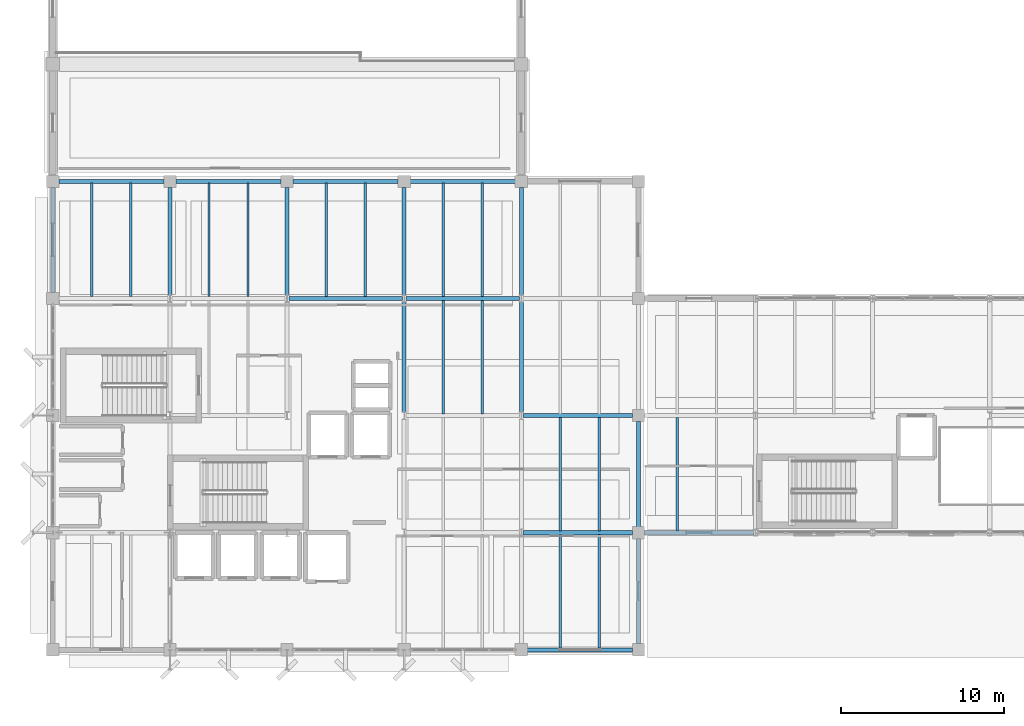
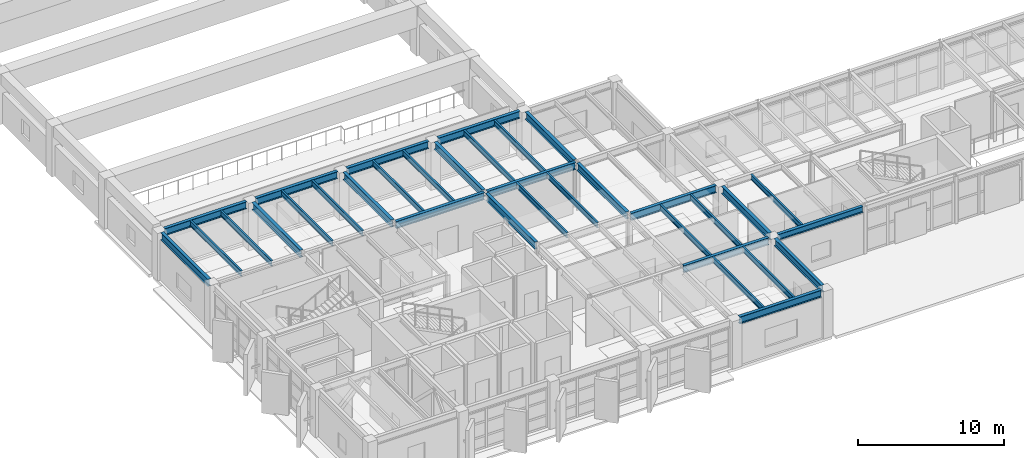
# One storey, part 11 of 37: 34 beams.
"""IFC4 building model written with IfcOpenShell, lengths in metres."""

from ifc_helpers import new_model, si_unit, direction, frame, origin, origin_2d, place, context, subcontext, project, spatial, i_section, extrude, material, material_profile, profile_set, type_object, element, save


model = new_model("IFC4")

# Units and contexts
model_context = context("Model", 3, precision=1e-05, world=origin(), true_north=direction((0.0, 1.0)))
body_context = subcontext(model_context, "Body", "Model", "MODEL_VIEW")
ifc_project = project(units=[si_unit("LENGTHUNIT", "METRE"), si_unit("AREAUNIT", "SQUARE_METRE"), si_unit("VOLUMEUNIT", "CUBIC_METRE"), si_unit("PLANEANGLEUNIT", "RADIAN"), si_unit("MASSUNIT", "GRAM", prefix="KILO")], contexts=[model_context])

# Site, building, storey
site_placement = place(None, origin())
site = spatial("IfcSite", under=ifc_project, at=site_placement, CompositionType="ELEMENT")
building_placement = place(site_placement, origin())
building = spatial("IfcBuilding", under=site, at=building_placement, Name="Kandorven Conservatory and Botanical Research Centre", CompositionType="ELEMENT")
storey_placement = place(building_placement, frame((0.0, 0.0, 9.0)))
storey = spatial("IfcBuildingStorey", under=building, at=storey_placement, Name="L02", CompositionType="ELEMENT", Elevation=9.0)

# Beams
ifc_material_1 = material(Name="Steel S355 (IS 2062 E350)", Category="steel")
ifc_material_profile_1 = material_profile(ifc_material_1, i_section(OverallWidth=0.25, OverallDepth=0.60009765625, WebThickness=0.01171875, FlangeThickness=0.023681640625, at=origin_2d()))
ifc_profile_set_1 = profile_set([ifc_material_profile_1], Name="Steel S355 (IS 2062 E350)")
beam_type_1 = type_object("IfcBeamType", Name="Beam_FG-01", PredefinedType="USERDEFINED", material=ifc_profile_set_1)
beam_1_placement = place(storey_placement, frame((35.1650390625, 6.0, 3.659912109375), z_axis=(1.0, 0.0, 0.0), x_axis=(0.0, 1.0, 0.0)))
element("IfcBeam", 1, at=beam_1_placement, inside=storey, type_object=beam_type_1, Name="Primary girder FG-01 TWR L02", ObjectType="GIRDER", PredefinedType="USERDEFINED", context=body_context, shape_type="SweptSolid", body=[
    extrude(i_section(OverallWidth=0.25, OverallDepth=0.60009765625, WebThickness=0.01171875, FlangeThickness=0.023681640625, at=origin_2d()), origin(), (0.0, 0.0, 1.0), 6.469970703125),
])
for number, where, z_axis, x_axis, name in (
    (2, (34.9150390625, 13.199951171875, 3.659912109375), (1.0, 0.0, 0.0), (0.0, 1.0, 0.0), "Primary girder FG-01 TWR L02"),
    (3, (34.9150390625, 20.39990234375, 3.659912109375), (1.0, 0.0, 0.0), (0.0, 1.0, 0.0), "Primary girder FG-01 TWR L02"),
):
    element("IfcBeam", number, at=place(storey_placement, frame(where, z_axis=z_axis, x_axis=x_axis)), inside=storey, type_object=beam_type_1, Name=name, ObjectType="GIRDER", PredefinedType="USERDEFINED", context=body_context, shape_type="SweptSolid", body=[
        extrude(i_section(OverallWidth=0.25, OverallDepth=0.60009765625, WebThickness=0.01171875, FlangeThickness=0.023681640625, at=origin_2d()), origin(), (0.0, 0.0, 1.0), 6.719970703125),
    ])
beam_2_placement = place(storey_placement, frame((20.514892578125, 27.60009765625, 3.659912109375), z_axis=(1.0, 0.0, 0.0), x_axis=(0.0, 1.0, 0.0)))
element("IfcBeam", 4, at=beam_2_placement, inside=storey, type_object=beam_type_1, Name="Primary girder FG-01 TWR L02", ObjectType="GIRDER", PredefinedType="USERDEFINED", context=body_context, shape_type="SweptSolid", body=[
    extrude(i_section(OverallWidth=0.25, OverallDepth=0.60009765625, WebThickness=0.01171875, FlangeThickness=0.023681640625, at=origin_2d()), origin(), (0.0, 0.0, 1.0), 6.97021484375),
])
beam_3_placement = place(storey_placement, frame((27.715087890625, 27.60009765625, 3.659912109375), z_axis=(1.0, 0.0, 0.0), x_axis=(0.0, 1.0, 0.0)))
element("IfcBeam", 5, at=beam_3_placement, inside=storey, type_object=beam_type_1, Name="Primary girder FG-01 TWR L02", ObjectType="GIRDER", PredefinedType="USERDEFINED", context=body_context, shape_type="SweptSolid", body=[
    extrude(i_section(OverallWidth=0.25, OverallDepth=0.60009765625, WebThickness=0.01171875, FlangeThickness=0.023681640625, at=origin_2d()), origin(), (0.0, 0.0, 1.0), 6.969970703125),
])
for number, where, z_axis, x_axis, name in (
    (6, (6.364990234375, 34.800048828125, 3.659912109375), (1.0, 0.0, 0.0), (0.0, 1.0, 0.0), "Primary girder FG-01 TWR L02"),
    (7, (13.56494140625, 34.800048828125, 3.659912109375), (1.0, 0.0, 0.0), (0.0, 1.0, 0.0), "Primary girder FG-01 TWR L02"),
):
    element("IfcBeam", number, at=place(storey_placement, frame(where, z_axis=z_axis, x_axis=x_axis)), inside=storey, type_object=beam_type_1, Name=name, ObjectType="GIRDER", PredefinedType="USERDEFINED", context=body_context, shape_type="SweptSolid", body=[
        extrude(i_section(OverallWidth=0.25, OverallDepth=0.60009765625, WebThickness=0.01171875, FlangeThickness=0.023681640625, at=origin_2d()), origin(), (0.0, 0.0, 1.0), 6.469970703125),
    ])
beam_4_placement = place(storey_placement, frame((20.764892578125, 34.800048828125, 3.659912109375), z_axis=(1.0, 0.0, 0.0), x_axis=(0.0, 1.0, 0.0)))
element("IfcBeam", 8, at=beam_4_placement, inside=storey, type_object=beam_type_1, Name="Primary girder FG-01 TWR L02", ObjectType="GIRDER", PredefinedType="USERDEFINED", context=body_context, shape_type="SweptSolid", body=[
    extrude(i_section(OverallWidth=0.25, OverallDepth=0.60009765625, WebThickness=0.01171875, FlangeThickness=0.023681640625, at=origin_2d()), origin(), (0.0, 0.0, 1.0), 6.47021484375),
])
for number, where, z_axis, x_axis, name in (
    (9, (27.965087890625, 34.800048828125, 3.659912109375), (1.0, 0.0, 0.0), (0.0, 1.0, 0.0), "Primary girder FG-01 TWR L02"),
    (10, (6.0, 27.965087890625, 3.659912109375), (0.0, 1.0, 0.0), (-1.0, 0.0, 0.0), "Primary girder FG-01 TWR L02"),
):
    element("IfcBeam", number, at=place(storey_placement, frame(where, z_axis=z_axis, x_axis=x_axis)), inside=storey, type_object=beam_type_1, Name=name, ObjectType="GIRDER", PredefinedType="USERDEFINED", context=body_context, shape_type="SweptSolid", body=[
        extrude(i_section(OverallWidth=0.25, OverallDepth=0.60009765625, WebThickness=0.01171875, FlangeThickness=0.023681640625, at=origin_2d()), origin(), (0.0, 0.0, 1.0), 6.469970703125),
    ])
for number, where, z_axis, x_axis, name in (
    (11, (13.199951171875, 27.81494140625, 3.659912109375), (0.0, 1.0, 0.0), (-1.0, 0.0, 0.0), "Primary girder FG-01 TWR L02"),
    (12, (20.39990234375, 27.81494140625, 3.659912109375), (0.0, 1.0, 0.0), (-1.0, 0.0, 0.0), "Primary girder FG-01 TWR L02"),
):
    element("IfcBeam", number, at=place(storey_placement, frame(where, z_axis=z_axis, x_axis=x_axis)), inside=storey, type_object=beam_type_1, Name=name, ObjectType="GIRDER", PredefinedType="USERDEFINED", context=body_context, shape_type="SweptSolid", body=[
        extrude(i_section(OverallWidth=0.25, OverallDepth=0.60009765625, WebThickness=0.01171875, FlangeThickness=0.023681640625, at=origin_2d()), origin(), (0.0, 0.0, 1.0), 6.6201171875),
    ])
beam_5_placement = place(storey_placement, frame((27.60009765625, 20.614990234375, 3.659912109375), z_axis=(0.0, 1.0, 0.0), x_axis=(-1.0, 0.0, 0.0)))
element("IfcBeam", 13, at=beam_5_placement, inside=storey, type_object=beam_type_1, Name="Primary girder FG-01 TWR L02", ObjectType="GIRDER", PredefinedType="USERDEFINED", context=body_context, shape_type="SweptSolid", body=[
    extrude(i_section(OverallWidth=0.25, OverallDepth=0.60009765625, WebThickness=0.01171875, FlangeThickness=0.023681640625, at=origin_2d()), origin(), (0.0, 0.0, 1.0), 6.77001953125),
])
beam_6_placement = place(storey_placement, frame((27.60009765625, 27.81494140625, 3.659912109375), z_axis=(0.0, 1.0, 0.0), x_axis=(-1.0, 0.0, 0.0)))
element("IfcBeam", 14, at=beam_6_placement, inside=storey, type_object=beam_type_1, Name="Primary girder FG-01 TWR L02", ObjectType="GIRDER", PredefinedType="USERDEFINED", context=body_context, shape_type="SweptSolid", body=[
    extrude(i_section(OverallWidth=0.25, OverallDepth=0.60009765625, WebThickness=0.01171875, FlangeThickness=0.023681640625, at=origin_2d()), origin(), (0.0, 0.0, 1.0), 6.6201171875),
])
beam_7_placement = place(storey_placement, frame((34.800048828125, 20.614990234375, 3.659912109375), z_axis=(0.0, 1.0, 0.0), x_axis=(-1.0, 0.0, 0.0)))
element("IfcBeam", 15, at=beam_7_placement, inside=storey, type_object=beam_type_1, Name="Primary girder FG-01 TWR L02", ObjectType="GIRDER", PredefinedType="USERDEFINED", context=body_context, shape_type="SweptSolid", body=[
    extrude(i_section(OverallWidth=0.25, OverallDepth=0.60009765625, WebThickness=0.01171875, FlangeThickness=0.023681640625, at=origin_2d()), origin(), (0.0, 0.0, 1.0), 6.77001953125),
])
beam_8_placement = place(storey_placement, frame((34.800048828125, 27.81494140625, 3.659912109375), z_axis=(0.0, 1.0, 0.0), x_axis=(-1.0, 0.0, 0.0)))
element("IfcBeam", 16, at=beam_8_placement, inside=storey, type_object=beam_type_1, Name="Primary girder FG-01 TWR L02", ObjectType="GIRDER", PredefinedType="USERDEFINED", context=body_context, shape_type="SweptSolid", body=[
    extrude(i_section(OverallWidth=0.25, OverallDepth=0.60009765625, WebThickness=0.01171875, FlangeThickness=0.023681640625, at=origin_2d()), origin(), (0.0, 0.0, 1.0), 6.6201171875),
])
for number, where, z_axis, x_axis, name in (
    (17, (42.0, 6.364990234375, 3.659912109375), (0.0, 1.0, 0.0), (-1.0, 0.0, 0.0), "Primary girder FG-01 TWR L02"),
    (18, (42.0, 13.56494140625, 3.659912109375), (0.0, 1.0, 0.0), (-1.0, 0.0, 0.0), "Primary girder FG-01 TWR L02"),
):
    element("IfcBeam", number, at=place(storey_placement, frame(where, z_axis=z_axis, x_axis=x_axis)), inside=storey, type_object=beam_type_1, Name=name, ObjectType="GIRDER", PredefinedType="USERDEFINED", context=body_context, shape_type="SweptSolid", body=[
        extrude(i_section(OverallWidth=0.25, OverallDepth=0.60009765625, WebThickness=0.01171875, FlangeThickness=0.023681640625, at=origin_2d()), origin(), (0.0, 0.0, 1.0), 6.469970703125),
    ])
ifc_material_2 = material(Name="Steel S355 (IS 2062 E350)", Category="steel")
ifc_material_profile_2 = material_profile(ifc_material_2, i_section(OverallWidth=0.25, OverallDepth=0.5, WebThickness=0.010009765625, FlangeThickness=0.0146484375, at=origin_2d()))
ifc_profile_set_2 = profile_set([ifc_material_profile_2], Name="Steel S355 (IS 2062 E350)")
beam_type_2 = type_object("IfcBeamType", Name="Beam_FG-02", PredefinedType="USERDEFINED", material=ifc_profile_set_2)
beam_9_placement = place(storey_placement, frame((42.364990234375, 13.199951171875, 3.7099609375), z_axis=(1.0, 0.0, 0.0), x_axis=(0.0, 1.0, 0.0)))
element("IfcBeam", 19, at=beam_9_placement, inside=storey, type_object=beam_type_2, Name="Primary girder FG-02 VIS L02", ObjectType="GIRDER", PredefinedType="USERDEFINED", context=body_context, shape_type="SweptSolid", body=[
    extrude(i_section(OverallWidth=0.25, OverallDepth=0.5, WebThickness=0.010009765625, FlangeThickness=0.0146484375, at=origin_2d()), origin(), (0.0, 0.0, 1.0), 6.719970703125),
])
ifc_material_3 = material(Name="Steel S355 (IS 2062 E350)", Category="steel")
ifc_material_profile_3 = material_profile(ifc_material_3, i_section(OverallWidth=0.14990234375, OverallDepth=0.449951171875, WebThickness=0.009521484375, FlangeThickness=0.017333984375, at=origin_2d()))
ifc_profile_set_3 = profile_set([ifc_material_profile_3], Name="Steel S355 (IS 2062 E350)")
beam_type_3 = type_object("IfcBeamType", Name="Beam_SB-04", PredefinedType="BEAM", material=ifc_profile_set_3)
for number, where, z_axis, x_axis, name in (
    (20, (8.39990234375, 27.7099609375, 3.735107421875), (0.0, 1.0, 0.0), (-1.0, 0.0, 0.0), "Composite secondary beam SB-04 TWR L02"),
    (21, (10.800048828125, 27.7099609375, 3.735107421875), (0.0, 1.0, 0.0), (-1.0, 0.0, 0.0), "Composite secondary beam SB-04 TWR L02"),
    (22, (15.60009765625, 27.7099609375, 3.735107421875), (0.0, 1.0, 0.0), (-1.0, 0.0, 0.0), "Composite secondary beam SB-04 TWR L02"),
    (23, (18.0, 27.7099609375, 3.735107421875), (0.0, 1.0, 0.0), (-1.0, 0.0, 0.0), "Composite secondary beam SB-04 TWR L02"),
    (24, (22.800048828125, 27.7099609375, 3.735107421875), (0.0, 1.0, 0.0), (-1.0, 0.0, 0.0), "Composite secondary beam SB-04 TWR L02"),
    (25, (25.199951171875, 27.7099609375, 3.735107421875), (0.0, 1.0, 0.0), (-1.0, 0.0, 0.0), "Composite secondary beam SB-04 TWR L02"),
    (26, (30.0, 20.510009765625, 3.735107421875), (0.0, 1.0, 0.0), (-1.0, 0.0, 0.0), "Composite secondary beam SB-04 TWR L02"),
    (27, (32.39990234375, 20.510009765625, 3.735107421875), (0.0, 1.0, 0.0), (-1.0, 0.0, 0.0), "Composite secondary beam SB-04 TWR L02"),
    (28, (30.0, 27.7099609375, 3.735107421875), (0.0, 1.0, 0.0), (-1.0, 0.0, 0.0), "Composite secondary beam SB-04 TWR L02"),
    (29, (32.39990234375, 27.7099609375, 3.735107421875), (0.0, 1.0, 0.0), (-1.0, 0.0, 0.0), "Composite secondary beam SB-04 TWR L02"),
    (30, (37.199951171875, 6.110107421875, 3.735107421875), (0.0, 1.0, 0.0), (-1.0, 0.0, 0.0), "Composite secondary beam SB-04 TWR L02"),
    (31, (39.60009765625, 6.110107421875, 3.735107421875), (0.0, 1.0, 0.0), (-1.0, 0.0, 0.0), "Composite secondary beam SB-04 TWR L02"),
    (32, (37.199951171875, 13.31005859375, 3.735107421875), (0.0, 1.0, 0.0), (-1.0, 0.0, 0.0), "Composite secondary beam SB-04 TWR L02"),
    (33, (39.60009765625, 13.31005859375, 3.735107421875), (0.0, 1.0, 0.0), (-1.0, 0.0, 0.0), "Composite secondary beam SB-04 TWR L02"),
    (34, (44.39990234375, 13.31005859375, 3.735107421875), (0.0, 1.0, 0.0), (-1.0, 0.0, 0.0), "Composite secondary beam SB-04 VIS L02"),
):
    element("IfcBeam", number, at=place(storey_placement, frame(where, z_axis=z_axis, x_axis=x_axis)), inside=storey, type_object=beam_type_3, Name=name, PredefinedType="BEAM", context=body_context, shape_type="SweptSolid", body=[
        extrude(i_section(OverallWidth=0.14990234375, OverallDepth=0.449951171875, WebThickness=0.009521484375, FlangeThickness=0.017333984375, at=origin_2d()), origin(), (0.0, 0.0, 1.0), 6.97998046875),
    ])

save(model, "model.ifc")
